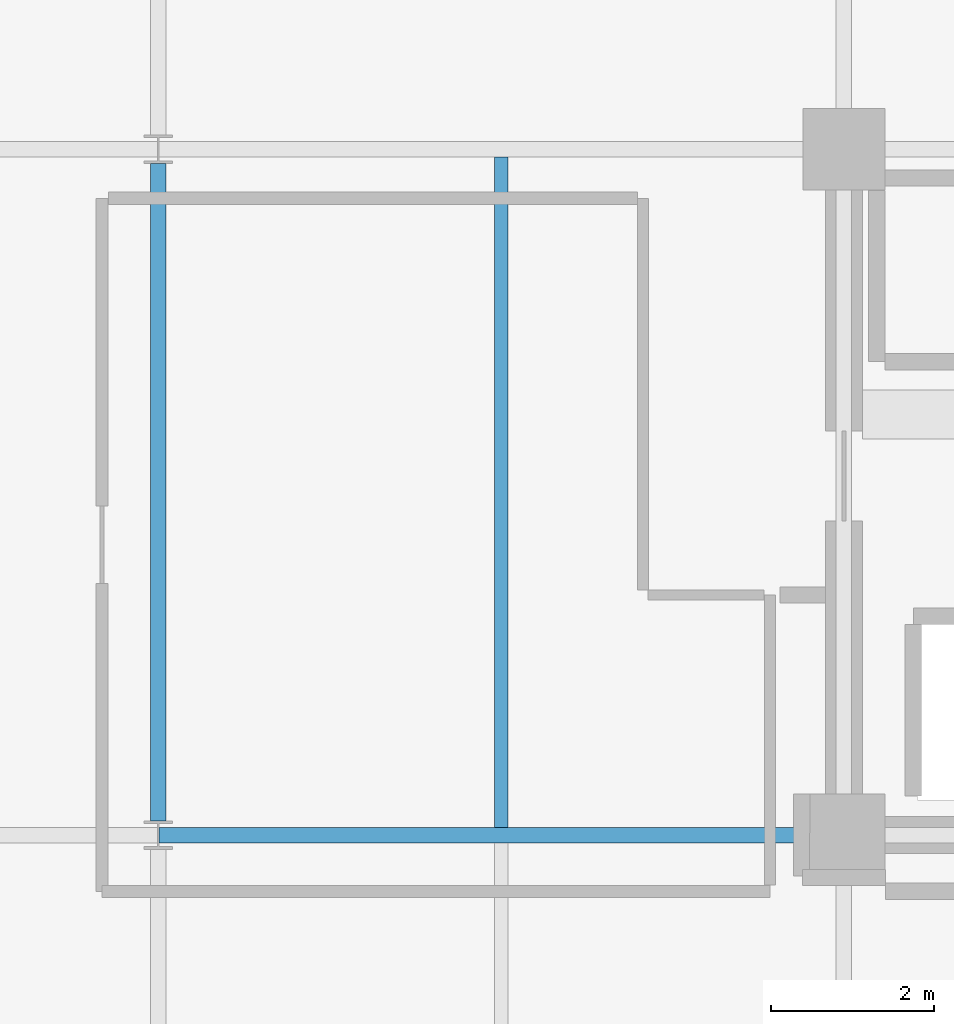
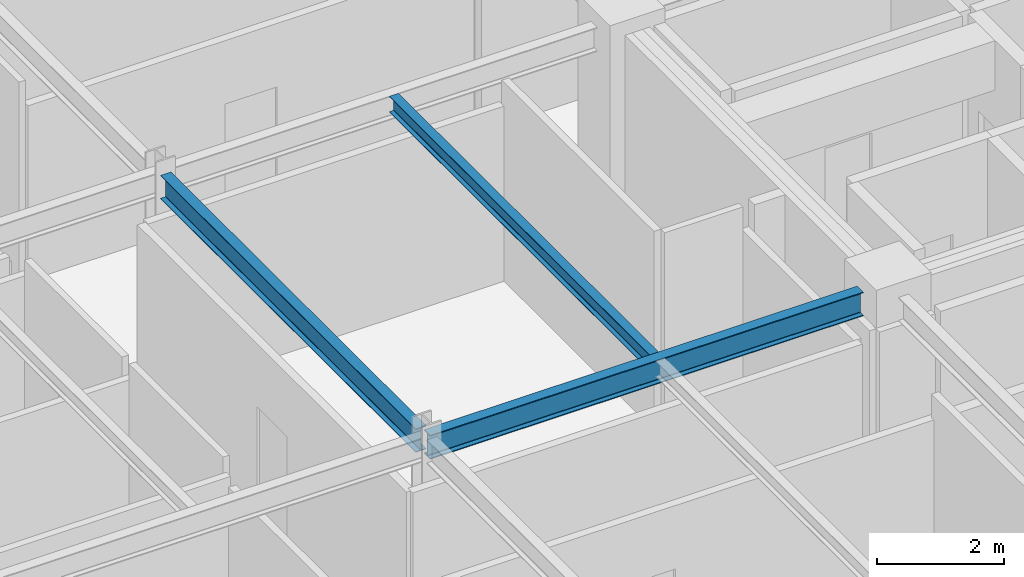
# One storey, part 5 of 26: 3 beams.
"""IFC4 building model written with IfcOpenShell, lengths in metres."""

from ifc_helpers import new_model, si_unit, direction, frame, origin, origin_2d, place, context, subcontext, project, spatial, i_section, extrude, material, material_profile, profile_set, type_object, element, save


model = new_model("IFC4")

# Units and contexts
model_context = context("Model", 3, precision=1e-05, world=origin(), true_north=direction((0.0, 1.0)))
body_context = subcontext(model_context, "Body", "Model", "MODEL_VIEW")
ifc_project = project(units=[si_unit("LENGTHUNIT", "METRE"), si_unit("AREAUNIT", "SQUARE_METRE"), si_unit("VOLUMEUNIT", "CUBIC_METRE"), si_unit("PLANEANGLEUNIT", "RADIAN"), si_unit("MASSUNIT", "GRAM", prefix="KILO")], contexts=[model_context])

# Site, building, storey
site_placement = place(None, origin())
site = spatial("IfcSite", under=ifc_project, at=site_placement, CompositionType="ELEMENT")
building_placement = place(site_placement, origin())
building = spatial("IfcBuilding", under=site, at=building_placement, Name="Nerrivon Quay Data Exchange", CompositionType="ELEMENT")
storey_placement = place(building_placement, frame((0.0, 0.0, 228.800048828125)))
storey = spatial("IfcBuildingStorey", under=building, at=storey_placement, Name="L54", CompositionType="ELEMENT", Elevation=228.800048828125)

# Beams
ifc_material = material(Name="Steel Grade 350", Category="steel")
ifc_material_profile_1 = material_profile(ifc_material, i_section(OverallWidth=0.19091796875, OverallDepth=0.4599609375, WebThickness=0.010009765625, FlangeThickness=0.01611328125, FilletRadius=0.011474609375, at=origin_2d()), Name="460UB82.1")
ifc_profile_set_1 = profile_set([ifc_material_profile_1], Name="Steel Grade 350")
beam_type_1 = type_object("IfcBeamType", Name="BM-G5-460UB82", PredefinedType="BEAM", material=ifc_profile_set_1)
beam_1_placement = place(storey_placement, frame((8.409912109375, 8.39990234375, 3.594970703125), z_axis=(1.0, 0.0, 0.0), x_axis=(0.0, 1.0, 0.0)))
element("IfcBeam", 1, at=beam_1_placement, inside=storey, type_object=beam_type_1, Name="L54 EW Girder Y=8.4 (8.4..16.8)", PredefinedType="BEAM", context=body_context, shape_type="SweptSolid", body=[
    extrude(i_section(OverallWidth=0.19091796875, OverallDepth=0.4599609375, WebThickness=0.010009765625, FlangeThickness=0.01611328125, FilletRadius=0.011474609375, at=origin_2d()), origin(), (0.0, 0.0, 1.0), 7.89013671875),
])
ifc_material_profile_2 = material_profile(ifc_material, i_section(OverallWidth=0.18994140625, OverallDepth=0.4541015625, WebThickness=0.008544921875, FlangeThickness=0.0126953125, FilletRadius=0.011474609375, at=origin_2d()), Name="460UB67.1")
ifc_profile_set_2 = profile_set([ifc_material_profile_2], Name="Steel Grade 350")
beam_type_2 = type_object("IfcBeamType", Name="BM-G6-460UB67", PredefinedType="BEAM", material=ifc_profile_set_2)
beam_2_placement = place(storey_placement, frame((8.39990234375, 8.574951171875, 3.597900390625), z_axis=(0.0, 1.0, 0.0), x_axis=(-1.0, 0.0, 0.0)))
element("IfcBeam", 2, at=beam_2_placement, inside=storey, type_object=beam_type_2, Name="L54 NS Girder X=8.4 (8.4..16.8)", PredefinedType="BEAM", context=body_context, shape_type="SweptSolid", body=[
    extrude(i_section(OverallWidth=0.18994140625, OverallDepth=0.4541015625, WebThickness=0.008544921875, FlangeThickness=0.0126953125, FilletRadius=0.011474609375, at=origin_2d()), origin(), (0.0, 0.0, 1.0), 8.050048828125),
])
ifc_material_profile_3 = material_profile(ifc_material, i_section(OverallWidth=0.166015625, OverallDepth=0.306884765625, WebThickness=0.006591796875, FlangeThickness=0.01171875, FilletRadius=0.011474609375, at=origin_2d()), Name="310UB46.2")
ifc_profile_set_3 = profile_set([ifc_material_profile_3], Name="Steel Grade 350")
beam_type_3 = type_object("IfcBeamType", Name="BM-J5-310UB46", PredefinedType="JOIST", material=ifc_profile_set_3)
beam_3_placement = place(storey_placement, frame((12.60009765625, 8.49560546875, 3.67138671875), z_axis=(0.0, 1.0, 0.0), x_axis=(-1.0, 0.0, 0.0)))
element("IfcBeam", 3, at=beam_3_placement, inside=storey, type_object=beam_type_3, Name="L54 Secondary Joist X=12.6 (8.4..16.8)", PredefinedType="JOIST", context=body_context, shape_type="SweptSolid", body=[
    extrude(i_section(OverallWidth=0.166015625, OverallDepth=0.306884765625, WebThickness=0.006591796875, FlangeThickness=0.01171875, FilletRadius=0.011474609375, at=origin_2d()), origin(), (0.0, 0.0, 1.0), 8.208984375),
])

save(model, "model.ifc")
